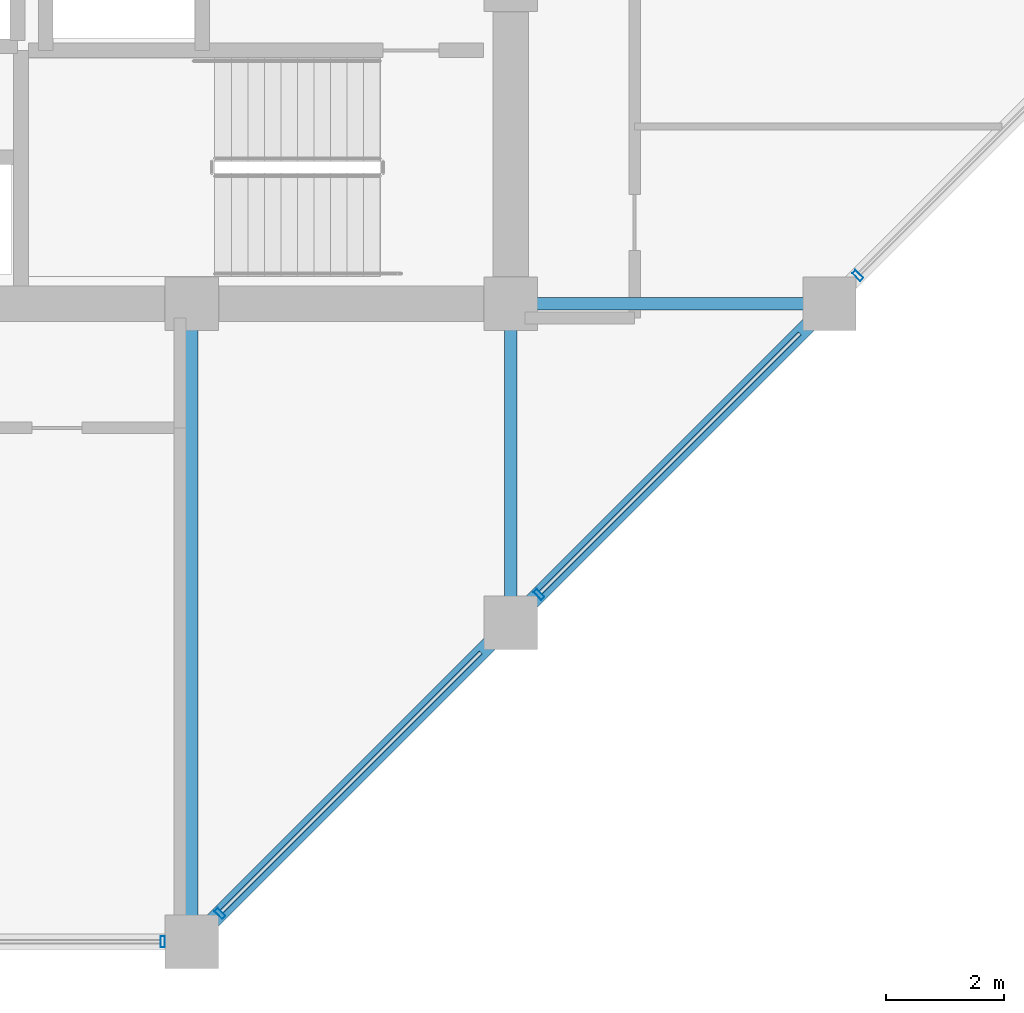
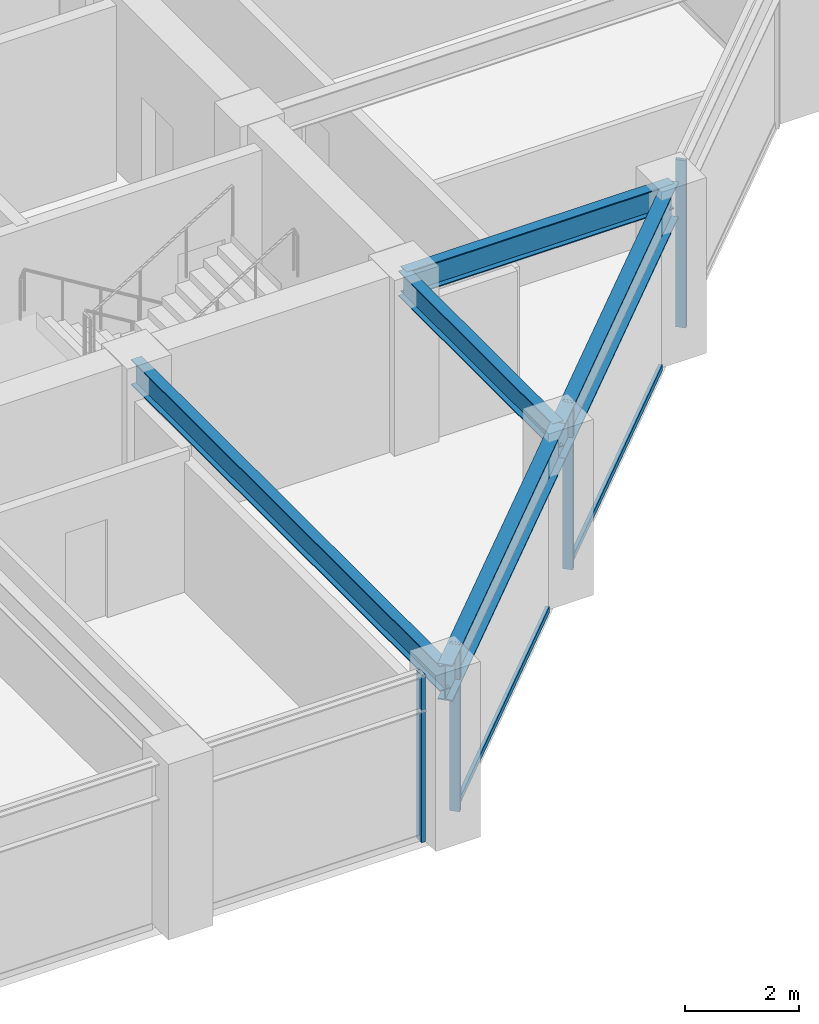
# One storey, part 9 of 28: 6 members, 5 beams, 2 elements without a shape of their own.
"""IFC4 building model written with IfcOpenShell, lengths in metres."""

from ifc_helpers import new_model, si_unit, direction, frame, origin, origin_2d, place, context, subcontext, project, spatial, hollow_rectangle, i_section, extrude, material, layer, layer_set, material_profile, profile_set, type_object, element, aggregate, save


model = new_model("IFC4")

# Units and contexts
model_context = context("Model", 3, precision=1e-05, world=origin(), true_north=direction((0.0, 1.0)))
body_context = subcontext(model_context, "Body", "Model", "MODEL_VIEW")
ifc_project = project(units=[si_unit("LENGTHUNIT", "METRE"), si_unit("AREAUNIT", "SQUARE_METRE"), si_unit("VOLUMEUNIT", "CUBIC_METRE"), si_unit("PLANEANGLEUNIT", "RADIAN"), si_unit("MASSUNIT", "GRAM", prefix="KILO")], contexts=[model_context])

# Site, building, storey
site_placement = place(None, origin())
site = spatial("IfcSite", under=ifc_project, at=site_placement, CompositionType="ELEMENT")
building_placement = place(site_placement, origin())
building = spatial("IfcBuilding", under=site, at=building_placement, Name="Surkhivell Harbour Commons", CompositionType="ELEMENT")
storey_placement = place(building_placement, frame((0.0, 0.0, 182.25)))
storey = spatial("IfcBuildingStorey", under=building, at=storey_placement, Name="L47", CompositionType="ELEMENT", Elevation=182.25)

# Beams
ifc_material_1 = material(Name="Steel S355", Category="steel")
ifc_material_profile_1 = material_profile(ifc_material_1, i_section(OverallWidth=0.2119140625, OverallDepth=0.5439453125, WebThickness=0.0126953125, FlangeThickness=0.021240234375, at=origin_2d()), Name="UB533x210x122")
ifc_profile_set_1 = profile_set([ifc_material_profile_1], Name="Steel S355")
beam_type_1 = type_object("IfcBeamType", Name="BM-GRD-533A", PredefinedType="BEAM", material=ifc_profile_set_1)
beam_1_placement = place(storey_placement, frame((5.39990234375, -21.60009765625, 3.298095703125), z_axis=(0.0, 1.0, 0.0), x_axis=(-1.0, 0.0, 0.0)))
element("IfcBeam", 1, at=beam_1_placement, inside=storey, type_object=beam_type_1, Name="L47 Floor Girder (5.4,-21.6)", PredefinedType="BEAM", context=body_context, shape_type="SweptSolid", body=[
    extrude(i_section(OverallWidth=0.2119140625, OverallDepth=0.5439453125, WebThickness=0.0126953125, FlangeThickness=0.021240234375, at=origin_2d()), origin(), (0.0, 0.0, 1.0), 10.800048828125),
])
for number, where, z_axis, x_axis, name in (
    (2, (10.800048828125, -16.199951171875, 3.298095703125), (0.0, 1.0, 0.0), (-1.0, 0.0, 0.0), "L47 Floor Girder (10.8,-16.2)"),
    (3, (10.800048828125, -10.800048828125, 3.298095703125), (1.0, 0.0, 0.0), (0.0, 1.0, 0.0), "L47 Floor Girder (10.8,-10.8)"),
):
    element("IfcBeam", number, at=place(storey_placement, frame(where, z_axis=z_axis, x_axis=x_axis)), inside=storey, type_object=beam_type_1, Name=name, PredefinedType="BEAM", context=body_context, shape_type="SweptSolid", body=[
        extrude(i_section(OverallWidth=0.2119140625, OverallDepth=0.5439453125, WebThickness=0.0126953125, FlangeThickness=0.021240234375, at=origin_2d()), origin(), (0.0, 0.0, 1.0), 5.39990234375),
    ])
ifc_material_profile_2 = material_profile(ifc_material_1, i_section(OverallWidth=0.26806640625, OverallDepth=0.77001953125, WebThickness=0.015625, FlangeThickness=0.025390625, at=origin_2d()), Name="UB762x267x197")
ifc_profile_set_2 = profile_set([ifc_material_profile_2], Name="Steel S355")
beam_type_2 = type_object("IfcBeamType", Name="BM-SPN-762", PredefinedType="SPANDREL", material=ifc_profile_set_2)
beam_2_placement = place(storey_placement, frame((5.39990234375, -21.60009765625, 3.18505859375), z_axis=(0.707106781187, 0.707106781187, 0.0), x_axis=(-0.707106781187, 0.707106781187, 0.0)))
element("IfcBeam", 4, at=beam_2_placement, inside=storey, type_object=beam_type_2, Name="L47 Tube Spandrel (5.4,-21.6)", PredefinedType="SPANDREL", context=body_context, shape_type="SweptSolid", body=[
    extrude(i_section(OverallWidth=0.26806640625, OverallDepth=0.77001953125, WebThickness=0.015625, FlangeThickness=0.025390625, at=origin_2d()), origin(), (0.0, 0.0, 1.0), 7.636962890625),
])
beam_3_placement = place(storey_placement, frame((10.800048828125, -16.199951171875, 3.18505859375), z_axis=(0.707106781187, 0.707106781187, 0.0), x_axis=(-0.707106781187, 0.707106781187, 0.0)))
element("IfcBeam", 5, at=beam_3_placement, inside=storey, type_object=beam_type_2, Name="L47 Tube Spandrel (10.8,-16.2)", PredefinedType="SPANDREL", context=body_context, shape_type="SweptSolid", body=[
    extrude(i_section(OverallWidth=0.26806640625, OverallDepth=0.77001953125, WebThickness=0.015625, FlangeThickness=0.025390625, at=origin_2d()), origin(), (0.0, 0.0, 1.0), 7.63671875),
])

# Curtain wall, member
ifc_material_2 = material(Name="Anodised pale-metal aluminium and insulated glazing", Category="aluminium")
ifc_layer = layer(ifc_material_2, 0.18994140625)
ifc_layer_set = layer_set([ifc_layer], Name="Anodised pale-metal aluminium and insulated glazing")
curtain_wall_type = type_object("IfcCurtainWallType", Name="CW-SYS-Z3", PredefinedType="NOTDEFINED", material=ifc_layer_set)
curtain_wall_1_placement = place(storey_placement, origin())
curtain_wall_1 = element("IfcCurtainWall", 6, at=curtain_wall_1_placement, inside=storey, type_object=curtain_wall_type, Name="L47 Curtain Wall CW-L47-E00S2", PredefinedType="NOTDEFINED")
ifc_material_3 = material(Name="Anodised pale-metal aluminium alloy 6063-T6", Category="aluminium")
ifc_material_profile_3 = material_profile(ifc_material_3, hollow_rectangle(XDim=0.074951171875, YDim=0.18994140625, WallThickness=0.00390625, at=origin_2d()), Name="ALU-MULL-75x190")
ifc_profile_set_3 = profile_set([ifc_material_profile_3], Name="Anodised pale-metal aluminium alloy 6063-T6")
member_type_1 = type_object("IfcMemberType", Name="CWM-190", PredefinedType="MULLION", material=ifc_profile_set_3)
member_1_placement = place(storey_placement, frame((4.910400390625, -21.60009765625, 0.0), z_axis=(0.0, 0.0, 1.0), x_axis=(1.0, 0.0, 0.0)))
member_1 = element("IfcMember", 7, at=member_1_placement, type_object=member_type_1, Name="CW-Z3 mullion 3", PredefinedType="MULLION", context=body_context, shape_type="SweptSolid", body=[
    extrude(hollow_rectangle(XDim=0.074951171875, YDim=0.18994140625, WallThickness=0.00390625, at=origin_2d()), origin(), (0.0, 0.0, 1.0), 3.570068359375),
])
aggregate(curtain_wall_1, [member_1])

# Curtain wall, members
curtain_wall_2_placement = place(storey_placement, origin())
curtain_wall_2 = element("IfcCurtainWall", 8, at=curtain_wall_2_placement, inside=storey, type_object=curtain_wall_type, Name="L47 Curtain Wall CW-L47-E01", PredefinedType="NOTDEFINED")
member_2_placement = place(storey_placement, frame((5.878173828125, -21.121826171875, 0.0), z_axis=(0.0, 0.0, 1.0), x_axis=(0.707106781187, 0.707106781187, 0.0)))
member_2 = element("IfcMember", 9, at=member_2_placement, type_object=member_type_1, Name="CW-Z3 mullion 1", PredefinedType="MULLION", context=body_context, shape_type="SweptSolid", body=[
    extrude(hollow_rectangle(XDim=0.074951171875, YDim=0.18994140625, WallThickness=0.00390625, at=origin_2d()), origin(), (0.0, 0.0, 1.0), 3.570068359375),
])
member_3_placement = place(storey_placement, frame((11.278076171875, -15.721923828125, 0.0), z_axis=(0.0, 0.0, 1.0), x_axis=(0.707106781187, 0.707106781187, 0.0)))
member_3 = element("IfcMember", 10, at=member_3_placement, type_object=member_type_1, Name="CW-Z3 mullion 2", PredefinedType="MULLION", context=body_context, shape_type="SweptSolid", body=[
    extrude(hollow_rectangle(XDim=0.074951171875, YDim=0.18994140625, WallThickness=0.00390625, at=origin_2d()), origin(), (0.0, 0.0, 1.0), 3.570068359375),
])
member_4_placement = place(storey_placement, frame((16.67822265625, -10.32177734375, 0.0), z_axis=(0.0, 0.0, 1.0), x_axis=(0.707106781187, 0.707106781187, 0.0)))
member_4 = element("IfcMember", 11, at=member_4_placement, type_object=member_type_1, Name="CW-Z3 mullion 3", PredefinedType="MULLION", context=body_context, shape_type="SweptSolid", body=[
    extrude(hollow_rectangle(XDim=0.074951171875, YDim=0.18994140625, WallThickness=0.00390625, at=origin_2d()), origin(), (0.0, 0.0, 1.0), 3.570068359375),
])
ifc_material_4 = material(Name="Champagne anodised aluminium alloy 6063-T6", Category="aluminium")
ifc_material_profile_4 = material_profile(ifc_material_4, hollow_rectangle(XDim=0.070068359375, YDim=0.1298828125, WallThickness=0.00341796875, at=origin_2d()), Name="ALU-TRAN-70x130")
ifc_profile_set_4 = profile_set([ifc_material_profile_4], Name="Champagne anodised aluminium alloy 6063-T6")
member_type_2 = type_object("IfcMemberType", Name="CWT-130", PredefinedType="USERDEFINED", material=ifc_profile_set_4)
member_5_placement = place(storey_placement, frame((5.90478515625, -21.09521484375, 0.06494140625), z_axis=(0.707106781187, 0.707106781187, 0.0), x_axis=(-0.707106781187, 0.707106781187, 0.0)))
member_5 = element("IfcMember", 12, at=member_5_placement, type_object=member_type_2, Name="CW-Z3 transom 1.1", ObjectType="TRANSOM", PredefinedType="USERDEFINED", context=body_context, shape_type="SweptSolid", body=[
    extrude(hollow_rectangle(XDim=0.070068359375, YDim=0.1298828125, WallThickness=0.00341796875, at=origin_2d()), origin(), (0.0, 0.0, 1.0), 6.209228515625),
])
member_6_placement = place(storey_placement, frame((11.3046875, -15.6953125, 0.06494140625), z_axis=(0.707106781187, 0.707106781187, 0.0), x_axis=(-0.707106781187, 0.707106781187, 0.0)))
member_6 = element("IfcMember", 13, at=member_6_placement, type_object=member_type_2, Name="CW-Z3 transom 2.1", ObjectType="TRANSOM", PredefinedType="USERDEFINED", context=body_context, shape_type="SweptSolid", body=[
    extrude(hollow_rectangle(XDim=0.070068359375, YDim=0.1298828125, WallThickness=0.00341796875, at=origin_2d()), origin(), (0.0, 0.0, 1.0), 6.209228515625),
])
aggregate(curtain_wall_2, [member_2, member_5, member_3, member_6, member_4])

save(model, "model.ifc")
